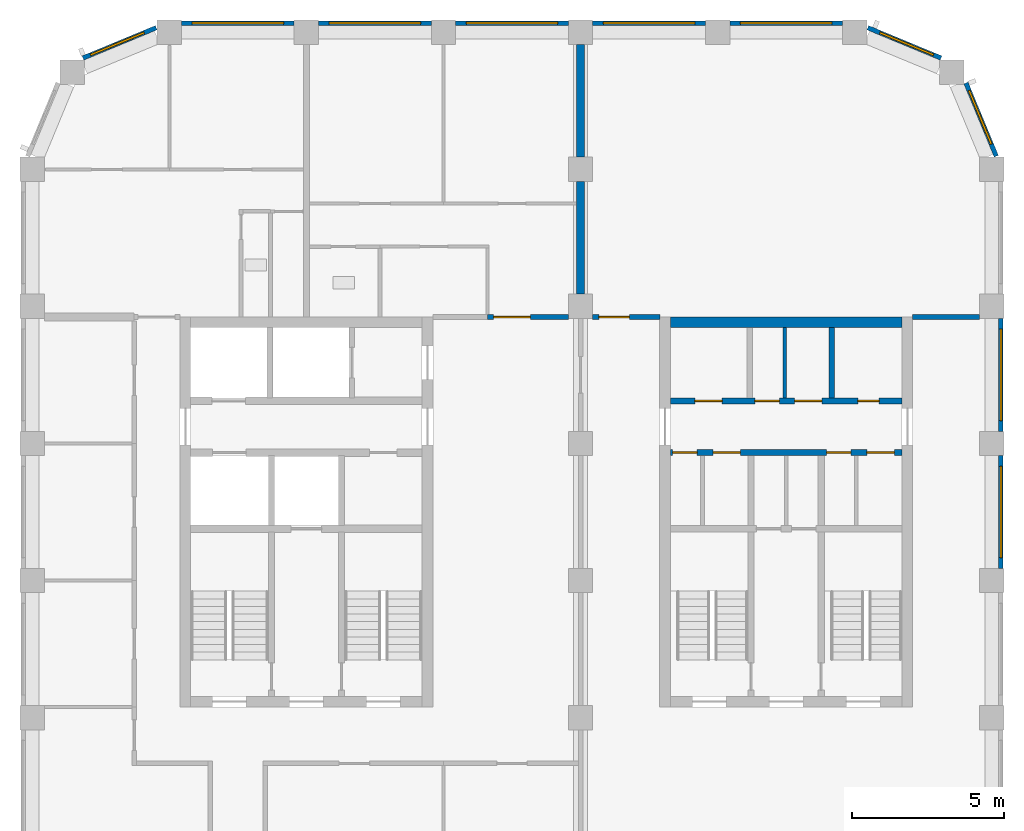
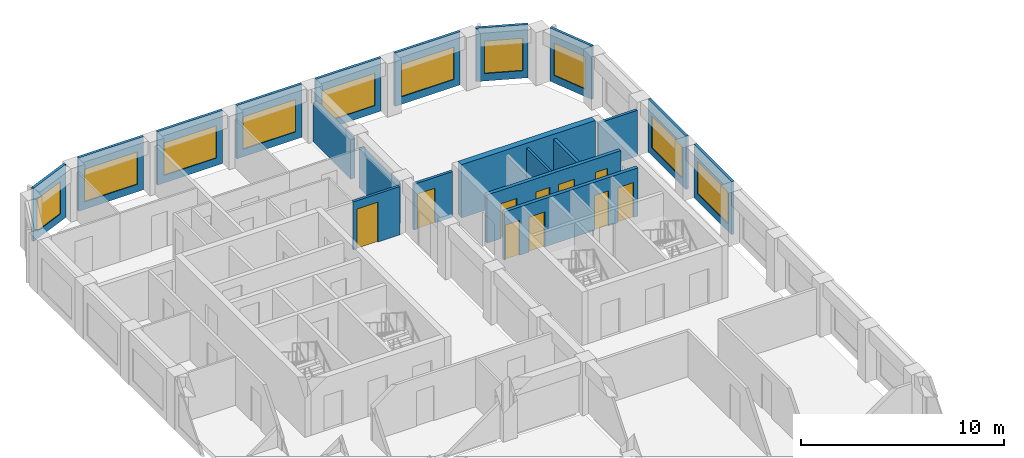
# One storey, part 7 of 10: 20 walls, 10 doors, 10 windows, 20 openings.
"""IFC4 building model written with IfcOpenShell, lengths in metres."""

from ifc_helpers import new_model, si_unit, direction, frame, frame_2d, origin, place, context, subcontext, project, spatial, rectangle, extrude, material, layer, layer_set, type_object, element, fill, save


model = new_model("IFC4")

# Units and contexts
model_context = context("Model", 3, precision=1e-05, world=origin(), true_north=direction((0.0, 1.0)))
body_context = subcontext(model_context, "Body", "Model", "MODEL_VIEW")
ifc_project = project(units=[si_unit("LENGTHUNIT", "METRE"), si_unit("AREAUNIT", "SQUARE_METRE"), si_unit("VOLUMEUNIT", "CUBIC_METRE"), si_unit("PLANEANGLEUNIT", "RADIAN"), si_unit("MASSUNIT", "GRAM", prefix="KILO")], contexts=[model_context])

# Site, building, storey
site_placement = place(None, origin())
site = spatial("IfcSite", under=ifc_project, at=site_placement, CompositionType="ELEMENT")
building_placement = place(site_placement, origin())
building = spatial("IfcBuilding", under=site, at=building_placement, Name="Girih Gate Residences", CompositionType="ELEMENT")
storey_placement = place(building_placement, frame((0.0, 0.0, 229.294921875)))
storey = spatial("IfcBuildingStorey", under=building, at=storey_placement, Name="L64", CompositionType="ELEMENT", Elevation=229.294921875)

# Walls
ifc_material_1 = material(Name="Gypsum board on steel studs", Category="steel")
ifc_layer_1 = layer(ifc_material_1, 0.25)
ifc_layer_set_1 = layer_set([ifc_layer_1], Name="Acoustic separating wall 250 mm")
wall_type_1 = type_object("IfcWallType", Name="Acoustic separating wall 250 mm", PredefinedType="PARTITIONING", material=ifc_layer_set_1)
for number, where, z_axis, x_axis, name in (
    (1, (18.0, 45.39990234375, 0.0), (0.0, 0.0, 1.0), (0.0, 1.0, 0.0), "L64 partition"),
    (2, (18.0, 40.89990234375, 0.0), (0.0, 0.0, 1.0), (0.0, 1.0, 0.0), "L64 partition"),
):
    element("IfcWall", number, at=place(storey_placement, frame(where, z_axis=z_axis, x_axis=x_axis)), inside=storey, type_object=wall_type_1, Name=name, PredefinedType="PARTITIONING", context=body_context, shape_type="SweptSolid", body=[
        extrude(rectangle(XDim=3.7001953125, YDim=0.25, at=frame_2d((1.85009765625, 0.0))), origin(), (0.0, 0.0, 1.0), 2.380126953125),
    ])

# Wall, opening, door
ifc_layer_2 = layer(ifc_material_1, 0.14990234375)
ifc_layer_set_2 = layer_set([ifc_layer_2], Name="Compartment wall 150 mm")
wall_type_2 = type_object("IfcWallType", Name="Compartment wall 150 mm", PredefinedType="PARTITIONING", material=ifc_layer_set_2)
wall_1_placement = place(storey_placement, frame((14.949951171875, 40.14990234375, 0.0), z_axis=(0.0, 0.0, 1.0), x_axis=(1.0, 0.0, 0.0)))
wall_1 = element("IfcWall", 3, at=wall_1_placement, inside=storey, type_object=wall_type_2, Name="L64 partition", PredefinedType="PARTITIONING", context=body_context, shape_type="SweptSolid", body=[
    extrude(rectangle(XDim=2.650146484375, YDim=0.14990234375, at=frame_2d((1.3251953125, 0.0))), origin(), (0.0, 0.0, 1.0), 2.900146484375),
])
opening_1_placement = place(wall_1_placement, frame((0.199951171875, 0.0, 0.0)))
opening_1 = element("IfcOpeningElement", 4, at=opening_1_placement, cuts=wall_1, Name="Opening A64-017", PredefinedType="OPENING", context=body_context, shape_type="SweptSolid", body=[
    extrude(rectangle(XDim=1.199951171875, YDim=2.39990234375, at=frame_2d((0.60009765625, 1.199951171875))), frame((0.0, 0.0849609375, 0.0), z_axis=(0.0, -1.0, 0.0), x_axis=(1.0, 0.0, 0.0)), (0.0, 0.0, 1.0), 0.169921875),
])
ifc_material_2 = material(Name="Timber, fire-rated core", Category="wood")
door_type_1 = type_object("IfcDoorType", Name="Villa entrance door 1200x2400 FD30S", OperationType="NOTDEFINED", PredefinedType="DOOR", material=ifc_material_2)
door_1_placement = place(opening_1_placement, origin())
door_1 = element("IfcDoor", 5, at=door_1_placement, inside=storey, type_object=door_type_1, Name="Door A64-017", OperationType="SINGLE_SWING_LEFT", OverallHeight=2.39990234375, OverallWidth=1.199951171875, PredefinedType="DOOR", context=body_context, shape_type="SweptSolid", body=[
    extrude(rectangle(XDim=1.199951171875, YDim=2.39990234375, at=frame_2d((0.60009765625, 1.199951171875))), frame((0.0, 0.02490234375, 0.0), z_axis=(0.0, -1.0, 0.0), x_axis=(1.0, 0.0, 0.0)), (0.0, 0.0, 1.0), 0.050048828125),
])
fill(opening_1, door_1)

wall_2_placement = place(storey_placement, frame((18.39990234375, 40.14990234375, 0.0), z_axis=(0.0, 0.0, 1.0), x_axis=(1.0, 0.0, 0.0)))
wall_2 = element("IfcWall", 6, at=wall_2_placement, inside=storey, type_object=wall_type_2, Name="L64 partition", PredefinedType="PARTITIONING", context=body_context, shape_type="SweptSolid", body=[
    extrude(rectangle(XDim=2.2001953125, YDim=0.14990234375, at=frame_2d((1.10009765625, 0.0))), origin(), (0.0, 0.0, 1.0), 2.75),
])
opening_2_placement = place(wall_2_placement, frame((0.199951171875, 0.0, 0.0)))
opening_2 = element("IfcOpeningElement", 7, at=opening_2_placement, cuts=wall_2, Name="Opening A64-025", PredefinedType="OPENING", context=body_context, shape_type="SweptSolid", body=[
    extrude(rectangle(XDim=1.0, YDim=2.10009765625, at=frame_2d((0.5, 1.050048828125))), frame((0.0, 0.0849609375, 0.0), z_axis=(0.0, -1.0, 0.0), x_axis=(1.0, 0.0, 0.0)), (0.0, 0.0, 1.0), 0.169921875),
])
door_type_2 = type_object("IfcDoorType", Name="Amenity room door 1000x2100 FD30S", OperationType="NOTDEFINED", PredefinedType="DOOR", material=ifc_material_2)
door_2_placement = place(opening_2_placement, origin())
door_2 = element("IfcDoor", 8, at=door_2_placement, inside=storey, type_object=door_type_2, Name="Door A64-025", OperationType="SINGLE_SWING_LEFT", OverallHeight=2.10009765625, OverallWidth=1.0, PredefinedType="DOOR", context=body_context, shape_type="SweptSolid", body=[
    extrude(rectangle(XDim=1.0, YDim=2.10009765625, at=frame_2d((0.5, 1.050048828125))), frame((0.0, 0.02490234375, 0.0), z_axis=(0.0, -1.0, 0.0), x_axis=(1.0, 0.0, 0.0)), (0.0, 0.0, 1.0), 0.050048828125),
])
fill(opening_2, door_2)

# Wall
wall_3_placement = place(storey_placement, frame((28.89990234375, 40.14990234375, 0.0), z_axis=(0.0, 0.0, 1.0), x_axis=(1.0, 0.0, 0.0)))
element("IfcWall", 9, at=wall_3_placement, inside=storey, type_object=wall_type_2, Name="L64 partition", PredefinedType="PARTITIONING", context=body_context, shape_type="SweptSolid", body=[
    extrude(rectangle(XDim=2.2001953125, YDim=0.14990234375, at=frame_2d((1.10009765625, 0.0))), origin(), (0.0, 0.0, 1.0), 2.75),
])

# Wall, opening, window
ifc_material_3 = material(Name="Precast concrete C50/60", Category="concrete")
ifc_layer_3 = layer(ifc_material_3, 0.050048828125, Name="Outer leaf")
ifc_material_4 = material(Name="Rigid PIR insulation")
ifc_layer_4 = layer(ifc_material_4, 0.06005859375, Name="Insulation")
ifc_material_5 = material(Name="Precast concrete C40/50", Category="concrete")
ifc_layer_5 = layer(ifc_material_5, 0.0400390625, Name="Inner leaf")
ifc_layer_set_3 = layer_set([ifc_layer_3, ifc_layer_4, ifc_layer_5], Name="Precast concrete C50/60 external wall 150")
wall_type_3 = type_object("IfcWallType", Name="Precast concrete C50/60 external wall 150", PredefinedType="SOLIDWALL", material=ifc_layer_set_3)
wall_4_placement = place(storey_placement, frame((31.800048828125, 35.60009765625, 0.0), z_axis=(0.0, 0.0, 1.0), x_axis=(0.0, -1.0, 0.0)))
wall_4 = element("IfcWall", 10, at=wall_4_placement, inside=storey, type_object=wall_type_3, Name="External wall E0315_0045.6", PredefinedType="SOLIDWALL", context=body_context, shape_type="SweptSolid", body=[
    extrude(rectangle(XDim=3.7001953125, YDim=0.14990234375, at=frame_2d((1.85009765625, 0.0))), origin(), (0.0, 0.0, 1.0), 3.2001953125),
])
opening_3_placement = place(wall_4_placement, frame((0.35009765625, 0.0, 0.449951171875)))
opening_3 = element("IfcOpeningElement", 11, at=opening_3_placement, cuts=wall_4, Name="Opening W-1D", PredefinedType="OPENING", context=body_context, shape_type="SweptSolid", body=[
    extrude(rectangle(XDim=3.0, YDim=1.949951171875, at=frame_2d((1.5, 0.97509765625))), frame((0.0, 0.0849609375, 0.0), z_axis=(0.0, -1.0, 0.0), x_axis=(1.0, 0.0, 0.0)), (0.0, 0.0, 1.0), 0.169921875),
])
ifc_material_6 = material(Name="Double glazing in aluminium frame", Category="aluminium")
window_type_1 = type_object("IfcWindowType", Name="Window W-1D 3000x1950", PartitioningType="SINGLE_PANEL", PredefinedType="WINDOW", material=ifc_material_6)
window_1_placement = place(opening_3_placement, origin())
window_1 = element("IfcWindow", 12, at=window_1_placement, inside=storey, type_object=window_type_1, Name="Window W-1D E0315_0045.6", OverallHeight=1.949951171875, OverallWidth=3.0, PartitioningType="SINGLE_PANEL", PredefinedType="WINDOW", context=body_context, shape_type="SweptSolid", body=[
    extrude(rectangle(XDim=3.0, YDim=1.949951171875, at=frame_2d((1.5, 0.97509765625))), frame((0.0, 0.030029296875, 0.0), z_axis=(0.0, -1.0, 0.0), x_axis=(1.0, 0.0, 0.0)), (0.0, 0.0, 1.0), 0.06005859375),
])
fill(opening_3, window_1)

wall_5_placement = place(storey_placement, frame((31.800048828125, 40.10009765625, 0.0), z_axis=(0.0, 0.0, 1.0), x_axis=(0.0, -1.0, 0.0)))
wall_5 = element("IfcWall", 13, at=wall_5_placement, inside=storey, type_object=wall_type_3, Name="External wall E0315_0045.7", PredefinedType="SOLIDWALL", context=body_context, shape_type="SweptSolid", body=[
    extrude(rectangle(XDim=3.7001953125, YDim=0.14990234375, at=frame_2d((1.85009765625, 0.0))), origin(), (0.0, 0.0, 1.0), 3.2001953125),
])
opening_4_placement = place(wall_5_placement, frame((0.35009765625, 0.0, 0.449951171875)))
opening_4 = element("IfcOpeningElement", 14, at=opening_4_placement, cuts=wall_5, Name="Opening W-1D", PredefinedType="OPENING", context=body_context, shape_type="SweptSolid", body=[
    extrude(rectangle(XDim=3.0, YDim=1.949951171875, at=frame_2d((1.5, 0.97509765625))), frame((0.0, 0.0849609375, 0.0), z_axis=(0.0, -1.0, 0.0), x_axis=(1.0, 0.0, 0.0)), (0.0, 0.0, 1.0), 0.169921875),
])
window_2_placement = place(opening_4_placement, origin())
window_2 = element("IfcWindow", 15, at=window_2_placement, inside=storey, type_object=window_type_1, Name="Window W-1D E0315_0045.7", OverallHeight=1.949951171875, OverallWidth=3.0, PartitioningType="SINGLE_PANEL", PredefinedType="WINDOW", context=body_context, shape_type="SweptSolid", body=[
    extrude(rectangle(XDim=3.0, YDim=1.949951171875, at=frame_2d((1.5, 0.97509765625))), frame((0.0, 0.030029296875, 0.0), z_axis=(0.0, -1.0, 0.0), x_axis=(1.0, 0.0, 0.0)), (0.0, 0.0, 1.0), 0.06005859375),
])
fill(opening_4, window_2)

wall_6_placement = place(storey_placement, frame((30.6513671875, 47.8330078125, 0.0), z_axis=(0.0, 0.0, 1.0), x_axis=(0.382669406082, -0.923885342263, 0.0)))
wall_6 = element("IfcWall", 16, at=wall_6_placement, inside=storey, type_object=wall_type_3, Name="External wall NE0315_0450.0", PredefinedType="SOLIDWALL", context=body_context, shape_type="SweptSolid", body=[
    extrude(rectangle(XDim=2.602294921875, YDim=0.14990234375, at=frame_2d((1.30126953125, 0.0))), origin(), (0.0, 0.0, 1.0), 3.2001953125),
])
opening_5_placement = place(wall_6_placement, frame((0.27001953125, 0.0, 0.449951171875)))
opening_5 = element("IfcOpeningElement", 17, at=opening_5_placement, cuts=wall_6, Name="Opening W-2G", PredefinedType="OPENING", context=body_context, shape_type="SweptSolid", body=[
    extrude(rectangle(XDim=1.89990234375, YDim=1.949951171875, at=frame_2d((0.949951171875, 0.97509765625))), frame((0.0, 0.0849609375, 0.0), z_axis=(0.0, -1.0, 0.0), x_axis=(1.0, 0.0, 0.0)), (0.0, 0.0, 1.0), 0.169921875),
])
window_type_2 = type_object("IfcWindowType", Name="Window W-2G 1900x1950", PartitioningType="SINGLE_PANEL", PredefinedType="WINDOW", material=ifc_material_6)
window_3_placement = place(opening_5_placement, origin())
window_3 = element("IfcWindow", 18, at=window_3_placement, inside=storey, type_object=window_type_2, Name="Window W-2G NE0315_0450.0", OverallHeight=1.949951171875, OverallWidth=1.89990234375, PartitioningType="SINGLE_PANEL", PredefinedType="WINDOW", context=body_context, shape_type="SweptSolid", body=[
    extrude(rectangle(XDim=1.89990234375, YDim=1.949951171875, at=frame_2d((0.949951171875, 0.97509765625))), frame((0.0, 0.030029296875, 0.0), z_axis=(0.0, -1.0, 0.0), x_axis=(1.0, 0.0, 0.0)), (0.0, 0.0, 1.0), 0.06005859375),
])
fill(opening_5, window_3)

wall_7_placement = place(storey_placement, frame((27.4287109375, 49.647216796875, 0.0), z_axis=(0.0, 0.0, 1.0), x_axis=(0.923885342263, -0.382669406082, 0.0)))
wall_7 = element("IfcWall", 19, at=wall_7_placement, inside=storey, type_object=wall_type_3, Name="External wall NE0302_0482.0", PredefinedType="SOLIDWALL", context=body_context, shape_type="SweptSolid", body=[
    extrude(rectangle(XDim=2.602294921875, YDim=0.14990234375, at=frame_2d((1.30126953125, 0.0))), origin(), (0.0, 0.0, 1.0), 3.2001953125),
])
opening_6_placement = place(wall_7_placement, frame((0.432373046875, 0.0, 0.449951171875)))
opening_6 = element("IfcOpeningElement", 20, at=opening_6_placement, cuts=wall_7, Name="Opening W-2G", PredefinedType="OPENING", context=body_context, shape_type="SweptSolid", body=[
    extrude(rectangle(XDim=1.89990234375, YDim=1.949951171875, at=frame_2d((0.949951171875, 0.97509765625))), frame((0.0, 0.0849609375, 0.0), z_axis=(0.0, -1.0, 0.0), x_axis=(1.0, 0.0, 0.0)), (0.0, 0.0, 1.0), 0.169921875),
])
window_4_placement = place(opening_6_placement, origin())
window_4 = element("IfcWindow", 21, at=window_4_placement, inside=storey, type_object=window_type_2, Name="Window W-2G NE0302_0482.0", OverallHeight=1.949951171875, OverallWidth=1.89990234375, PartitioningType="SINGLE_PANEL", PredefinedType="WINDOW", context=body_context, shape_type="SweptSolid", body=[
    extrude(rectangle(XDim=1.89990234375, YDim=1.949951171875, at=frame_2d((0.949951171875, 0.97509765625))), frame((0.0, 0.030029296875, 0.0), z_axis=(0.0, -1.0, 0.0), x_axis=(1.0, 0.0, 0.0)), (0.0, 0.0, 1.0), 0.06005859375),
])
fill(opening_6, window_4)

wall_8_placement = place(storey_placement, frame((22.89990234375, 49.800048828125, 0.0), z_axis=(0.0, 0.0, 1.0), x_axis=(1.0, 0.0, 0.0)))
wall_8 = element("IfcWall", 22, at=wall_8_placement, inside=storey, type_object=wall_type_3, Name="External wall N0270_0495.0", PredefinedType="SOLIDWALL", context=body_context, shape_type="SweptSolid", body=[
    extrude(rectangle(XDim=3.7001953125, YDim=0.14990234375, at=frame_2d((1.85009765625, 0.0))), origin(), (0.0, 0.0, 1.0), 3.2001953125),
])
opening_7_placement = place(wall_8_placement, frame((0.35009765625, 0.0, 0.449951171875)))
opening_7 = element("IfcOpeningElement", 23, at=opening_7_placement, cuts=wall_8, Name="Opening W-1D", PredefinedType="OPENING", context=body_context, shape_type="SweptSolid", body=[
    extrude(rectangle(XDim=3.0, YDim=1.949951171875, at=frame_2d((1.5, 0.97509765625))), frame((0.0, 0.0849609375, 0.0), z_axis=(0.0, -1.0, 0.0), x_axis=(1.0, 0.0, 0.0)), (0.0, 0.0, 1.0), 0.169921875),
])
window_5_placement = place(opening_7_placement, origin())
window_5 = element("IfcWindow", 24, at=window_5_placement, inside=storey, type_object=window_type_1, Name="Window W-1D N0270_0495.0", OverallHeight=1.949951171875, OverallWidth=3.0, PartitioningType="SINGLE_PANEL", PredefinedType="WINDOW", context=body_context, shape_type="SweptSolid", body=[
    extrude(rectangle(XDim=3.0, YDim=1.949951171875, at=frame_2d((1.5, 0.97509765625))), frame((0.0, 0.030029296875, 0.0), z_axis=(0.0, -1.0, 0.0), x_axis=(1.0, 0.0, 0.0)), (0.0, 0.0, 1.0), 0.06005859375),
])
fill(opening_7, window_5)

wall_9_placement = place(storey_placement, frame((18.39990234375, 49.800048828125, 0.0), z_axis=(0.0, 0.0, 1.0), x_axis=(1.0, 0.0, 0.0)))
wall_9 = element("IfcWall", 25, at=wall_9_placement, inside=storey, type_object=wall_type_3, Name="External wall N0270_0495.1", PredefinedType="SOLIDWALL", context=body_context, shape_type="SweptSolid", body=[
    extrude(rectangle(XDim=3.7001953125, YDim=0.14990234375, at=frame_2d((1.85009765625, 0.0))), origin(), (0.0, 0.0, 1.0), 3.2001953125),
])
opening_8_placement = place(wall_9_placement, frame((0.35009765625, 0.0, 0.449951171875)))
opening_8 = element("IfcOpeningElement", 26, at=opening_8_placement, cuts=wall_9, Name="Opening W-1D", PredefinedType="OPENING", context=body_context, shape_type="SweptSolid", body=[
    extrude(rectangle(XDim=3.0, YDim=1.949951171875, at=frame_2d((1.5, 0.97509765625))), frame((0.0, 0.0849609375, 0.0), z_axis=(0.0, -1.0, 0.0), x_axis=(1.0, 0.0, 0.0)), (0.0, 0.0, 1.0), 0.169921875),
])
window_6_placement = place(opening_8_placement, origin())
window_6 = element("IfcWindow", 27, at=window_6_placement, inside=storey, type_object=window_type_1, Name="Window W-1D N0270_0495.1", OverallHeight=1.949951171875, OverallWidth=3.0, PartitioningType="SINGLE_PANEL", PredefinedType="WINDOW", context=body_context, shape_type="SweptSolid", body=[
    extrude(rectangle(XDim=3.0, YDim=1.949951171875, at=frame_2d((1.5, 0.97509765625))), frame((0.0, 0.030029296875, 0.0), z_axis=(0.0, -1.0, 0.0), x_axis=(1.0, 0.0, 0.0)), (0.0, 0.0, 1.0), 0.06005859375),
])
fill(opening_8, window_6)

wall_10_placement = place(storey_placement, frame((13.89990234375, 49.800048828125, 0.0), z_axis=(0.0, 0.0, 1.0), x_axis=(1.0, 0.0, 0.0)))
wall_10 = element("IfcWall", 28, at=wall_10_placement, inside=storey, type_object=wall_type_3, Name="External wall N0270_0495.2", PredefinedType="SOLIDWALL", context=body_context, shape_type="SweptSolid", body=[
    extrude(rectangle(XDim=3.7001953125, YDim=0.14990234375, at=frame_2d((1.85009765625, 0.0))), origin(), (0.0, 0.0, 1.0), 3.2001953125),
])
opening_9_placement = place(wall_10_placement, frame((0.35009765625, 0.0, 0.449951171875)))
opening_9 = element("IfcOpeningElement", 29, at=opening_9_placement, cuts=wall_10, Name="Opening W-1D", PredefinedType="OPENING", context=body_context, shape_type="SweptSolid", body=[
    extrude(rectangle(XDim=3.0, YDim=1.949951171875, at=frame_2d((1.5, 0.97509765625))), frame((0.0, 0.0849609375, 0.0), z_axis=(0.0, -1.0, 0.0), x_axis=(1.0, 0.0, 0.0)), (0.0, 0.0, 1.0), 0.169921875),
])
window_7_placement = place(opening_9_placement, origin())
window_7 = element("IfcWindow", 30, at=window_7_placement, inside=storey, type_object=window_type_1, Name="Window W-1D N0270_0495.2", OverallHeight=1.949951171875, OverallWidth=3.0, PartitioningType="SINGLE_PANEL", PredefinedType="WINDOW", context=body_context, shape_type="SweptSolid", body=[
    extrude(rectangle(XDim=3.0, YDim=1.949951171875, at=frame_2d((1.5, 0.97509765625))), frame((0.0, 0.030029296875, 0.0), z_axis=(0.0, -1.0, 0.0), x_axis=(1.0, 0.0, 0.0)), (0.0, 0.0, 1.0), 0.06005859375),
])
fill(opening_9, window_7)

wall_11_placement = place(storey_placement, frame((9.39990234375, 49.800048828125, 0.0), z_axis=(0.0, 0.0, 1.0), x_axis=(1.0, 0.0, 0.0)))
wall_11 = element("IfcWall", 31, at=wall_11_placement, inside=storey, type_object=wall_type_3, Name="External wall N0270_0495.3", PredefinedType="SOLIDWALL", context=body_context, shape_type="SweptSolid", body=[
    extrude(rectangle(XDim=3.7001953125, YDim=0.14990234375, at=frame_2d((1.85009765625, 0.0))), origin(), (0.0, 0.0, 1.0), 3.2001953125),
])
opening_10_placement = place(wall_11_placement, frame((0.35009765625, 0.0, 0.449951171875)))
opening_10 = element("IfcOpeningElement", 32, at=opening_10_placement, cuts=wall_11, Name="Opening W-1D", PredefinedType="OPENING", context=body_context, shape_type="SweptSolid", body=[
    extrude(rectangle(XDim=3.0, YDim=1.949951171875, at=frame_2d((1.5, 0.97509765625))), frame((0.0, 0.0849609375, 0.0), z_axis=(0.0, -1.0, 0.0), x_axis=(1.0, 0.0, 0.0)), (0.0, 0.0, 1.0), 0.169921875),
])
window_8_placement = place(opening_10_placement, origin())
window_8 = element("IfcWindow", 33, at=window_8_placement, inside=storey, type_object=window_type_1, Name="Window W-1D N0270_0495.3", OverallHeight=1.949951171875, OverallWidth=3.0, PartitioningType="SINGLE_PANEL", PredefinedType="WINDOW", context=body_context, shape_type="SweptSolid", body=[
    extrude(rectangle(XDim=3.0, YDim=1.949951171875, at=frame_2d((1.5, 0.97509765625))), frame((0.0, 0.030029296875, 0.0), z_axis=(0.0, -1.0, 0.0), x_axis=(1.0, 0.0, 0.0)), (0.0, 0.0, 1.0), 0.06005859375),
])
fill(opening_10, window_8)

wall_12_placement = place(storey_placement, frame((4.89990234375, 49.800048828125, 0.0), z_axis=(0.0, 0.0, 1.0), x_axis=(1.0, 0.0, 0.0)))
wall_12 = element("IfcWall", 34, at=wall_12_placement, inside=storey, type_object=wall_type_3, Name="External wall N0270_0495.4", PredefinedType="SOLIDWALL", context=body_context, shape_type="SweptSolid", body=[
    extrude(rectangle(XDim=3.7001953125, YDim=0.14990234375, at=frame_2d((1.85009765625, 0.0))), origin(), (0.0, 0.0, 1.0), 3.2001953125),
])
opening_11_placement = place(wall_12_placement, frame((0.35009765625, 0.0, 0.449951171875)))
opening_11 = element("IfcOpeningElement", 35, at=opening_11_placement, cuts=wall_12, Name="Opening W-1D", PredefinedType="OPENING", context=body_context, shape_type="SweptSolid", body=[
    extrude(rectangle(XDim=3.0, YDim=1.949951171875, at=frame_2d((1.5, 0.97509765625))), frame((0.0, 0.0849609375, 0.0), z_axis=(0.0, -1.0, 0.0), x_axis=(1.0, 0.0, 0.0)), (0.0, 0.0, 1.0), 0.169921875),
])
window_9_placement = place(opening_11_placement, origin())
window_9 = element("IfcWindow", 36, at=window_9_placement, inside=storey, type_object=window_type_1, Name="Window W-1D N0270_0495.4", OverallHeight=1.949951171875, OverallWidth=3.0, PartitioningType="SINGLE_PANEL", PredefinedType="WINDOW", context=body_context, shape_type="SweptSolid", body=[
    extrude(rectangle(XDim=3.0, YDim=1.949951171875, at=frame_2d((1.5, 0.97509765625))), frame((0.0, 0.030029296875, 0.0), z_axis=(0.0, -1.0, 0.0), x_axis=(1.0, 0.0, 0.0)), (0.0, 0.0, 1.0), 0.06005859375),
])
fill(opening_11, window_9)

wall_13_placement = place(storey_placement, frame((1.6669921875, 48.6513671875, 0.0), z_axis=(0.0, 0.0, 1.0), x_axis=(0.923885342263, 0.382669406082, 0.0)))
wall_13 = element("IfcWall", 37, at=wall_13_placement, inside=storey, type_object=wall_type_3, Name="External wall NW0045_0495.0", PredefinedType="SOLIDWALL", context=body_context, shape_type="SweptSolid", body=[
    extrude(rectangle(XDim=2.602294921875, YDim=0.14990234375, at=frame_2d((1.30126953125, 0.0))), origin(), (0.0, 0.0, 1.0), 3.2001953125),
])
opening_12_placement = place(wall_13_placement, frame((0.27001953125, 0.0, 0.449951171875)))
opening_12 = element("IfcOpeningElement", 38, at=opening_12_placement, cuts=wall_13, Name="Opening W-2G", PredefinedType="OPENING", context=body_context, shape_type="SweptSolid", body=[
    extrude(rectangle(XDim=1.89990234375, YDim=1.949951171875, at=frame_2d((0.949951171875, 0.97509765625))), frame((0.0, 0.0849609375, 0.0), z_axis=(0.0, -1.0, 0.0), x_axis=(1.0, 0.0, 0.0)), (0.0, 0.0, 1.0), 0.169921875),
])
window_10_placement = place(opening_12_placement, origin())
window_10 = element("IfcWindow", 39, at=window_10_placement, inside=storey, type_object=window_type_2, Name="Window W-2G NW0045_0495.0", OverallHeight=1.949951171875, OverallWidth=1.89990234375, PartitioningType="SINGLE_PANEL", PredefinedType="WINDOW", context=body_context, shape_type="SweptSolid", body=[
    extrude(rectangle(XDim=1.89990234375, YDim=1.949951171875, at=frame_2d((0.949951171875, 0.97509765625))), frame((0.0, 0.030029296875, 0.0), z_axis=(0.0, -1.0, 0.0), x_axis=(1.0, 0.0, 0.0)), (0.0, 0.0, 1.0), 0.06005859375),
])
fill(opening_12, window_10)

# Wall
ifc_material_7 = material(Name="Concrete C40/50", Category="concrete")
ifc_layer_6 = layer(ifc_material_7, 0.175048828125)
ifc_layer_set_4 = layer_set([ifc_layer_6], Name="Riser shaft wall 175")
wall_type_4 = type_object("IfcWallType", Name="Riser shaft wall 175", PredefinedType="SOLIDWALL", material=ifc_layer_set_4)
wall_14_placement = place(storey_placement, frame((26.25, 37.5, 0.0), z_axis=(0.0, 0.0, 1.0), x_axis=(0.0, 1.0, 0.0)))
element("IfcWall", 40, at=wall_14_placement, inside=storey, type_object=wall_type_4, Name="L64 C core wall V2c", PredefinedType="SOLIDWALL", context=body_context, shape_type="SweptSolid", body=[
    extrude(rectangle(XDim=2.300048828125, YDim=0.175048828125, at=frame_2d((1.14990234375, 0.0))), origin(), (0.0, 0.0, 1.0), 2.900146484375),
])

# Wall, openings, doors
ifc_layer_7 = layer(ifc_material_7, 0.199951171875)
ifc_layer_set_5 = layer_set([ifc_layer_7], Name="Shaft wall 200")
wall_type_5 = type_object("IfcWallType", Name="Shaft wall 200", PredefinedType="SOLIDWALL", material=ifc_layer_set_5)
wall_15_placement = place(storey_placement, frame((20.949951171875, 35.699951171875, 0.0), z_axis=(0.0, 0.0, 1.0), x_axis=(1.0, 0.0, 0.0)))
wall_15 = element("IfcWall", 41, at=wall_15_placement, inside=storey, type_object=wall_type_5, Name="L64 C core wall H2", PredefinedType="SOLIDWALL", context=body_context, shape_type="SweptSolid", body=[
    extrude(rectangle(XDim=7.60009765625, YDim=0.199951171875, at=frame_2d((3.800048828125, 0.0))), origin(), (0.0, 0.0, 1.0), 2.900146484375),
])
opening_13_placement = place(wall_15_placement, frame((0.074951171875, 0.0, 0.0)))
opening_13 = element("IfcOpeningElement", 42, at=opening_13_placement, cuts=wall_15, Name="Opening D-L64-C-004", PredefinedType="OPENING", context=body_context, shape_type="SweptSolid", body=[
    extrude(rectangle(XDim=0.800048828125, YDim=2.10009765625, at=frame_2d((0.39990234375, 1.050048828125))), frame((0.0, 0.10986328125, 0.0), z_axis=(0.0, -1.0, 0.0), x_axis=(1.0, 0.0, 0.0)), (0.0, 0.0, 1.0), 0.219970703125),
])
opening_14_placement = place(wall_15_placement, frame((1.39990234375, 0.0, 0.0)))
opening_14 = element("IfcOpeningElement", 43, at=opening_14_placement, cuts=wall_15, Name="Opening D-L64-C-005", PredefinedType="OPENING", context=body_context, shape_type="SweptSolid", body=[
    extrude(rectangle(XDim=0.89990234375, YDim=2.10009765625, at=frame_2d((0.449951171875, 1.050048828125))), frame((0.0, 0.10986328125, 0.0), z_axis=(0.0, -1.0, 0.0), x_axis=(1.0, 0.0, 0.0)), (0.0, 0.0, 1.0), 0.219970703125),
])
opening_15_placement = place(wall_15_placement, frame((5.125, 0.0, 0.0)))
opening_15 = element("IfcOpeningElement", 44, at=opening_15_placement, cuts=wall_15, Name="Opening D-L64-C-006", PredefinedType="OPENING", context=body_context, shape_type="SweptSolid", body=[
    extrude(rectangle(XDim=0.800048828125, YDim=2.10009765625, at=frame_2d((0.39990234375, 1.050048828125))), frame((0.0, 0.10986328125, 0.0), z_axis=(0.0, -1.0, 0.0), x_axis=(1.0, 0.0, 0.0)), (0.0, 0.0, 1.0), 0.219970703125),
])
opening_16_placement = place(wall_15_placement, frame((6.449951171875, 0.0, 0.0)))
opening_16 = element("IfcOpeningElement", 45, at=opening_16_placement, cuts=wall_15, Name="Opening D-L64-C-007", PredefinedType="OPENING", context=body_context, shape_type="SweptSolid", body=[
    extrude(rectangle(XDim=0.89990234375, YDim=2.10009765625, at=frame_2d((0.449951171875, 1.050048828125))), frame((0.0, 0.10986328125, 0.0), z_axis=(0.0, -1.0, 0.0), x_axis=(1.0, 0.0, 0.0)), (0.0, 0.0, 1.0), 0.219970703125),
])
ifc_material_8 = material(Name="Painted steel, fire-resisting", Category="steel")
door_type_3 = type_object("IfcDoorType", Name="Fire door 800x2100", OperationType="SINGLE_SWING_LEFT", PredefinedType="DOOR", material=ifc_material_8)
door_3_placement = place(opening_13_placement, origin())
door_3 = element("IfcDoor", 46, at=door_3_placement, inside=storey, type_object=door_type_3, Name="L64 C housekeeping store door", OperationType="SINGLE_SWING_LEFT", OverallHeight=2.10009765625, OverallWidth=0.800048828125, PredefinedType="DOOR", context=body_context, shape_type="SweptSolid", body=[
    extrude(rectangle(XDim=0.800048828125, YDim=2.10009765625, at=frame_2d((0.39990234375, 1.050048828125))), frame((0.0, 0.02490234375, 0.0), z_axis=(0.0, -1.0, 0.0), x_axis=(1.0, 0.0, 0.0)), (0.0, 0.0, 1.0), 0.050048828125),
])
fill(opening_13, door_3)
door_4_placement = place(opening_15_placement, origin())
door_4 = element("IfcDoor", 47, at=door_4_placement, inside=storey, type_object=door_type_3, Name="L64 C it room door", OperationType="SINGLE_SWING_LEFT", OverallHeight=2.10009765625, OverallWidth=0.800048828125, PredefinedType="DOOR", context=body_context, shape_type="SweptSolid", body=[
    extrude(rectangle(XDim=0.800048828125, YDim=2.10009765625, at=frame_2d((0.39990234375, 1.050048828125))), frame((0.0, 0.02490234375, 0.0), z_axis=(0.0, -1.0, 0.0), x_axis=(1.0, 0.0, 0.0)), (0.0, 0.0, 1.0), 0.050048828125),
])
fill(opening_15, door_4)
door_type_4 = type_object("IfcDoorType", Name="Fire door 900x2100", OperationType="SINGLE_SWING_LEFT", PredefinedType="DOOR", material=ifc_material_8)
door_5_placement = place(opening_14_placement, origin())
door_5 = element("IfcDoor", 48, at=door_5_placement, inside=storey, type_object=door_type_4, Name="L64 C refuse store door", OperationType="SINGLE_SWING_LEFT", OverallHeight=2.10009765625, OverallWidth=0.89990234375, PredefinedType="DOOR", context=body_context, shape_type="SweptSolid", body=[
    extrude(rectangle(XDim=0.89990234375, YDim=2.10009765625, at=frame_2d((0.449951171875, 1.050048828125))), frame((0.0, 0.02490234375, 0.0), z_axis=(0.0, -1.0, 0.0), x_axis=(1.0, 0.0, 0.0)), (0.0, 0.0, 1.0), 0.050048828125),
])
fill(opening_14, door_5)
door_6_placement = place(opening_16_placement, origin())
door_6 = element("IfcDoor", 49, at=door_6_placement, inside=storey, type_object=door_type_4, Name="L64 C maintenance store door", OperationType="SINGLE_SWING_LEFT", OverallHeight=2.10009765625, OverallWidth=0.89990234375, PredefinedType="DOOR", context=body_context, shape_type="SweptSolid", body=[
    extrude(rectangle(XDim=0.89990234375, YDim=2.10009765625, at=frame_2d((0.449951171875, 1.050048828125))), frame((0.0, 0.02490234375, 0.0), z_axis=(0.0, -1.0, 0.0), x_axis=(1.0, 0.0, 0.0)), (0.0, 0.0, 1.0), 0.050048828125),
])
fill(opening_16, door_6)

wall_16_placement = place(storey_placement, frame((20.949951171875, 37.39990234375, 0.0), z_axis=(0.0, 0.0, 1.0), x_axis=(1.0, 0.0, 0.0)))
wall_16 = element("IfcWall", 50, at=wall_16_placement, inside=storey, type_object=wall_type_5, Name="L64 C core wall H3", PredefinedType="SOLIDWALL", context=body_context, shape_type="SweptSolid", body=[
    extrude(rectangle(XDim=7.60009765625, YDim=0.199951171875, at=frame_2d((3.800048828125, 0.0))), origin(), (0.0, 0.0, 1.0), 2.900146484375),
])
opening_17_placement = place(wall_16_placement, frame((6.14990234375, 0.0, 0.0)))
opening_17 = element("IfcOpeningElement", 51, at=opening_17_placement, cuts=wall_16, Name="Opening D-L64-C-003", PredefinedType="OPENING", context=body_context, shape_type="SweptSolid", body=[
    extrude(rectangle(XDim=0.699951171875, YDim=2.10009765625, at=frame_2d((0.35009765625, 1.050048828125))), frame((0.0, 0.10986328125, 0.0), z_axis=(0.0, -1.0, 0.0), x_axis=(1.0, 0.0, 0.0)), (0.0, 0.0, 1.0), 0.219970703125),
])
opening_18_placement = place(wall_16_placement, frame((0.800048828125, 0.0, 0.0)))
opening_18 = element("IfcOpeningElement", 52, at=opening_18_placement, cuts=wall_16, Name="Opening D-L64-C-008", PredefinedType="OPENING", context=body_context, shape_type="SweptSolid", body=[
    extrude(rectangle(XDim=0.89990234375, YDim=2.10009765625, at=frame_2d((0.449951171875, 1.050048828125))), frame((0.0, 0.10986328125, 0.0), z_axis=(0.0, -1.0, 0.0), x_axis=(1.0, 0.0, 0.0)), (0.0, 0.0, 1.0), 0.219970703125),
])
opening_19_placement = place(wall_16_placement, frame((2.77490234375, 0.0, 0.0)))
opening_19 = element("IfcOpeningElement", 53, at=opening_19_placement, cuts=wall_16, Name="Opening D-L64-C-009", PredefinedType="OPENING", context=body_context, shape_type="SweptSolid", body=[
    extrude(rectangle(XDim=0.800048828125, YDim=2.10009765625, at=frame_2d((0.39990234375, 1.050048828125))), frame((0.0, 0.10986328125, 0.0), z_axis=(0.0, -1.0, 0.0), x_axis=(1.0, 0.0, 0.0)), (0.0, 0.0, 1.0), 0.219970703125),
])
opening_20_placement = place(wall_16_placement, frame((4.074951171875, 0.0, 0.0)))
opening_20 = element("IfcOpeningElement", 54, at=opening_20_placement, cuts=wall_16, Name="Opening D-L64-C-010", PredefinedType="OPENING", context=body_context, shape_type="SweptSolid", body=[
    extrude(rectangle(XDim=0.89990234375, YDim=2.10009765625, at=frame_2d((0.449951171875, 1.050048828125))), frame((0.0, 0.10986328125, 0.0), z_axis=(0.0, -1.0, 0.0), x_axis=(1.0, 0.0, 0.0)), (0.0, 0.0, 1.0), 0.219970703125),
])
door_7_placement = place(opening_19_placement, origin())
door_7 = element("IfcDoor", 55, at=door_7_placement, inside=storey, type_object=door_type_3, Name="L64 C pantry door", OperationType="SINGLE_SWING_LEFT", OverallHeight=2.10009765625, OverallWidth=0.800048828125, PredefinedType="DOOR", context=body_context, shape_type="SweptSolid", body=[
    extrude(rectangle(XDim=0.800048828125, YDim=2.10009765625, at=frame_2d((0.39990234375, 1.050048828125))), frame((0.0, 0.02490234375, 0.0), z_axis=(0.0, -1.0, 0.0), x_axis=(1.0, 0.0, 0.0)), (0.0, 0.0, 1.0), 0.050048828125),
])
fill(opening_19, door_7)
door_8_placement = place(opening_18_placement, origin())
door_8 = element("IfcDoor", 56, at=door_8_placement, inside=storey, type_object=door_type_4, Name="L64 C riser room door", OperationType="SINGLE_SWING_LEFT", OverallHeight=2.10009765625, OverallWidth=0.89990234375, PredefinedType="DOOR", context=body_context, shape_type="SweptSolid", body=[
    extrude(rectangle(XDim=0.89990234375, YDim=2.10009765625, at=frame_2d((0.449951171875, 1.050048828125))), frame((0.0, 0.02490234375, 0.0), z_axis=(0.0, -1.0, 0.0), x_axis=(1.0, 0.0, 0.0)), (0.0, 0.0, 1.0), 0.050048828125),
])
fill(opening_18, door_8)
door_9_placement = place(opening_20_placement, origin())
door_9 = element("IfcDoor", 57, at=door_9_placement, inside=storey, type_object=door_type_4, Name="L64 C housekeeping store door", OperationType="SINGLE_SWING_LEFT", OverallHeight=2.10009765625, OverallWidth=0.89990234375, PredefinedType="DOOR", context=body_context, shape_type="SweptSolid", body=[
    extrude(rectangle(XDim=0.89990234375, YDim=2.10009765625, at=frame_2d((0.449951171875, 1.050048828125))), frame((0.0, 0.02490234375, 0.0), z_axis=(0.0, -1.0, 0.0), x_axis=(1.0, 0.0, 0.0)), (0.0, 0.0, 1.0), 0.050048828125),
])
fill(opening_20, door_9)
door_type_5 = type_object("IfcDoorType", Name="Riser access door 700x2100", OperationType="SINGLE_SWING_LEFT", PredefinedType="DOOR", material=ifc_material_8)
door_10_placement = place(opening_17_placement, origin())
door_10 = element("IfcDoor", 58, at=door_10_placement, inside=storey, type_object=door_type_5, Name="L64 C riser room door", OperationType="SINGLE_SWING_LEFT", OverallHeight=2.10009765625, OverallWidth=0.699951171875, PredefinedType="DOOR", context=body_context, shape_type="SweptSolid", body=[
    extrude(rectangle(XDim=0.699951171875, YDim=2.10009765625, at=frame_2d((0.35009765625, 1.050048828125))), frame((0.0, 0.02490234375, 0.0), z_axis=(0.0, -1.0, 0.0), x_axis=(1.0, 0.0, 0.0)), (0.0, 0.0, 1.0), 0.050048828125),
])
fill(opening_17, door_10)

# Walls
ifc_layer_8 = layer(ifc_material_7, 0.35009765625)
ifc_layer_set_6 = layer_set([ifc_layer_8], Name="Stair core wall RC 350 Concrete C40/50")
wall_type_6 = type_object("IfcWallType", Name="Stair core wall RC 350 Concrete C40/50", PredefinedType="SOLIDWALL", material=ifc_layer_set_6)
wall_17_placement = place(storey_placement, frame((20.949951171875, 39.97509765625, 0.0), z_axis=(0.0, 0.0, 1.0), x_axis=(1.0, 0.0, 0.0)))
element("IfcWall", 59, at=wall_17_placement, inside=storey, type_object=wall_type_6, Name="Stair core wall C-N L64", PredefinedType="SOLIDWALL", context=body_context, shape_type="SweptSolid", body=[
    extrude(rectangle(XDim=7.60009765625, YDim=0.35009765625, at=frame_2d((3.800048828125, 0.0))), origin(), (0.0, 0.0, 1.0), 3.2001953125),
])
ifc_material_9 = material(Name="Calcium silicate blockwork", Category="masonry")
ifc_layer_9 = layer(ifc_material_9, 0.125)
ifc_layer_set_7 = layer_set([ifc_layer_9], Name="Store partition 125")
wall_type_7 = type_object("IfcWallType", Name="Store partition 125", PredefinedType="PARTITIONING", material=ifc_layer_set_7)
wall_18_placement = place(storey_placement, frame((24.699951171875, 37.5, 0.0), z_axis=(0.0, 0.0, 1.0), x_axis=(0.0, 1.0, 0.0)))
element("IfcWall", 60, at=wall_18_placement, inside=storey, type_object=wall_type_7, Name="L64 C core wall SLR2", PredefinedType="PARTITIONING", context=body_context, shape_type="SweptSolid", body=[
    extrude(rectangle(XDim=2.300048828125, YDim=0.125, at=frame_2d((1.14990234375, 0.0))), origin(), (0.0, 0.0, 1.0), 2.900146484375),
])

save(model, "model.ifc")
